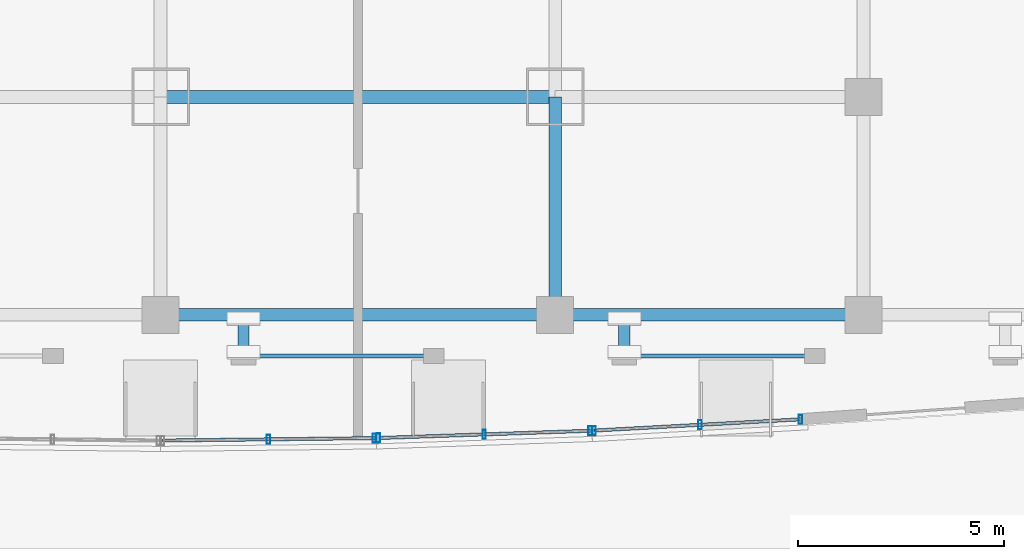
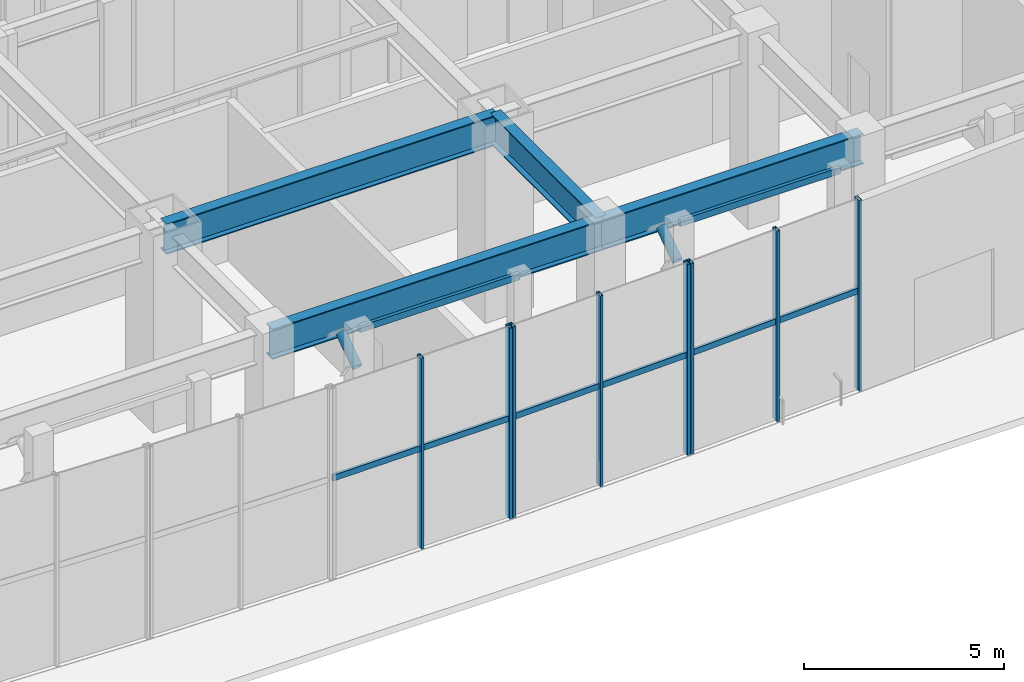
# One storey, part 7 of 23: 15 members, 4 beams, 3 elements without a shape of their own.
"""IFC4 building model written with IfcOpenShell, lengths in metres."""

from ifc_helpers import new_model, si_unit, direction, frame, origin, origin_2d, place, context, subcontext, project, spatial, hollow_rectangle, hollow_circle, i_section, extrude, material, layer, layer_set, material_profile, profile_set, type_object, element, aggregate, save


model = new_model("IFC4")

# Units and contexts
model_context = context("Model", 3, precision=1e-05, world=origin(), true_north=direction((0.0, 1.0)))
body_context = subcontext(model_context, "Body", "Model", "MODEL_VIEW")
ifc_project = project(units=[si_unit("LENGTHUNIT", "METRE"), si_unit("AREAUNIT", "SQUARE_METRE"), si_unit("VOLUMEUNIT", "CUBIC_METRE"), si_unit("PLANEANGLEUNIT", "RADIAN"), si_unit("MASSUNIT", "GRAM", prefix="KILO")], contexts=[model_context])

# Site, building, storey
site_placement = place(None, origin())
site = spatial("IfcSite", under=ifc_project, at=site_placement, CompositionType="ELEMENT")
building_placement = place(site_placement, origin())
building = spatial("IfcBuilding", under=site, at=building_placement, Name="Vantalir Tower", CompositionType="ELEMENT")
storey_placement = place(building_placement, origin())
storey = spatial("IfcBuildingStorey", under=building, at=storey_placement, Name="L00", CompositionType="ELEMENT", Elevation=0.0)

# Beams
ifc_material_1 = material(Name="Steel S355", Category="steel")
ifc_material_profile_1 = material_profile(ifc_material_1, i_section(OverallWidth=0.30810546875, OverallDepth=0.927001953125, WebThickness=0.01953125, FlangeThickness=0.031982421875, at=origin_2d()), Name="Steel S355")
ifc_profile_set_1 = profile_set([ifc_material_profile_1], Name="Steel S355")
beam_type = type_object("IfcBeamType", Name="BM-PG-914x305", PredefinedType="USERDEFINED", material=ifc_profile_set_1)
beam_1_placement = place(storey_placement, frame((31.5, 3.199951171875, 5.35693359375), z_axis=(1.0, 0.0, 0.0), x_axis=(0.0, 1.0, 0.0)))
element("IfcBeam", 1, at=beam_1_placement, inside=storey, type_object=beam_type, Name="L00 Podium E-W Girder 04", ObjectType="GIRDER", PredefinedType="USERDEFINED", context=body_context, shape_type="SweptSolid", body=[
    extrude(i_section(OverallWidth=0.30810546875, OverallDepth=0.927001953125, WebThickness=0.01953125, FlangeThickness=0.031982421875, at=origin_2d()), origin(), (0.0, 0.0, 1.0), 9.60009765625),
])
beam_2_placement = place(storey_placement, frame((41.10009765625, 3.199951171875, 5.35693359375), z_axis=(1.0, 0.0, 0.0), x_axis=(0.0, 1.0, 0.0)))
element("IfcBeam", 2, at=beam_2_placement, inside=storey, type_object=beam_type, Name="L00 Podium E-W Girder 05", ObjectType="GIRDER", PredefinedType="USERDEFINED", context=body_context, shape_type="SweptSolid", body=[
    extrude(i_section(OverallWidth=0.30810546875, OverallDepth=0.927001953125, WebThickness=0.01953125, FlangeThickness=0.031982421875, at=origin_2d()), origin(), (0.0, 0.0, 1.0), 7.5),
])
beam_3_placement = place(storey_placement, frame((31.5, 8.5, 5.35693359375), z_axis=(1.0, 0.0, 0.0), x_axis=(0.0, 1.0, 0.0)))
element("IfcBeam", 3, at=beam_3_placement, inside=storey, type_object=beam_type, Name="L00 Podium E-W Girder 10", ObjectType="GIRDER", PredefinedType="USERDEFINED", context=body_context, shape_type="SweptSolid", body=[
    extrude(i_section(OverallWidth=0.30810546875, OverallDepth=0.927001953125, WebThickness=0.01953125, FlangeThickness=0.031982421875, at=origin_2d()), origin(), (0.0, 0.0, 1.0), 9.60009765625),
])
beam_4_placement = place(storey_placement, frame((41.10009765625, 3.199951171875, 5.35693359375), z_axis=(0.0, 1.0, 0.0), x_axis=(-1.0, 0.0, 0.0)))
element("IfcBeam", 4, at=beam_4_placement, inside=storey, type_object=beam_type, Name="L00 Podium N-S Girder 67", ObjectType="GIRDER", PredefinedType="USERDEFINED", context=body_context, shape_type="SweptSolid", body=[
    extrude(i_section(OverallWidth=0.30810546875, OverallDepth=0.927001953125, WebThickness=0.01953125, FlangeThickness=0.031982421875, at=origin_2d()), origin(), (0.0, 0.0, 1.0), 5.300048828125),
])

# Curtain wall, members
ifc_material_2 = material(Name="Champagne-silver PVDF aluminium and double-silver Low-E glass", Category="aluminium")
ifc_layer = layer(ifc_material_2, 0.239990234375)
ifc_layer_set = layer_set([ifc_layer], Name="Champagne-silver PVDF aluminium and double-silver Low-E glass")
curtain_wall_type = type_object("IfcCurtainWallType", Name="CW-PODIUM-WF", PredefinedType="USERDEFINED", material=ifc_layer_set)
curtain_wall_1_placement = place(storey_placement, origin())
curtain_wall_1 = element("IfcCurtainWall", 5, at=curtain_wall_1_placement, inside=storey, type_object=curtain_wall_type, Name="L00 Waterfront Stick Curtain Wall 07", ObjectType="STICK CURTAIN WALL", PredefinedType="USERDEFINED")
ifc_material_3 = material(Name="Champagne-silver PVDF aluminium 6063-T6", Category="aluminium")
ifc_material_profile_2 = material_profile(ifc_material_3, hollow_rectangle(XDim=0.0849609375, YDim=0.219970703125, WallThickness=0.0048828125, at=origin_2d()), Name="Champagne-silver PVDF aluminium 6063-T6")
ifc_profile_set_2 = profile_set([ifc_material_profile_2], Name="Champagne-silver PVDF aluminium 6063-T6")
member_type_1 = type_object("IfcMemberType", Name="CWM-220x85", PredefinedType="MULLION", material=ifc_profile_set_2)
member_1_placement = place(storey_placement, frame((34.125, 0.169921875, -0.011962890625), z_axis=(0.0, 0.0, 1.0), x_axis=(1.0, 0.0, 0.0)))
member_1 = element("IfcMember", 6, at=member_1_placement, type_object=member_type_1, Name="CW-L00-WF-07 Mullion 2", PredefinedType="MULLION", context=body_context, shape_type="SweptSolid", body=[
    extrude(hollow_rectangle(XDim=0.0849609375, YDim=0.219970703125, WallThickness=0.0048828125, at=origin_2d()), origin(), (0.0, 0.0, 1.0), 5.843994140625),
])
member_2_placement = place(storey_placement, frame((36.699951171875, 0.199951171875, -0.011962890625), z_axis=(0.0, 0.0, 1.0), x_axis=(1.0, 0.0, 0.0)))
member_2 = element("IfcMember", 7, at=member_2_placement, type_object=member_type_1, Name="CW-L00-WF-07 Mullion 3", PredefinedType="MULLION", context=body_context, shape_type="SweptSolid", body=[
    extrude(hollow_rectangle(XDim=0.0849609375, YDim=0.219970703125, WallThickness=0.0048828125, at=origin_2d()), origin(), (0.0, 0.0, 1.0), 5.843994140625),
])

curtain_wall_2_placement = place(storey_placement, origin())
curtain_wall_2 = element("IfcCurtainWall", 8, at=curtain_wall_2_placement, inside=storey, type_object=curtain_wall_type, Name="L00 Waterfront Stick Curtain Wall 08", ObjectType="STICK CURTAIN WALL", PredefinedType="USERDEFINED")
member_3_placement = place(storey_placement, frame((36.800048828125, 0.202880859375, -0.011962890625), z_axis=(0.0, 0.0, 1.0), x_axis=(1.0, 0.0, 0.0)))
member_3 = element("IfcMember", 9, at=member_3_placement, type_object=member_type_1, Name="CW-L00-WF-08 Mullion 1", PredefinedType="MULLION", context=body_context, shape_type="SweptSolid", body=[
    extrude(hollow_rectangle(XDim=0.0849609375, YDim=0.219970703125, WallThickness=0.0048828125, at=origin_2d()), origin(), (0.0, 0.0, 1.0), 5.843994140625),
])
member_4_placement = place(storey_placement, frame((39.375, 0.291015625, -0.011962890625), z_axis=(0.0, 0.0, 1.0), x_axis=(1.0, 0.0, 0.0)))
member_4 = element("IfcMember", 10, at=member_4_placement, type_object=member_type_1, Name="CW-L00-WF-08 Mullion 2", PredefinedType="MULLION", context=body_context, shape_type="SweptSolid", body=[
    extrude(hollow_rectangle(XDim=0.0849609375, YDim=0.219970703125, WallThickness=0.0048828125, at=origin_2d()), origin(), (0.0, 0.0, 1.0), 5.843994140625),
])
member_5_placement = place(storey_placement, frame((41.949951171875, 0.37890625, -0.011962890625), z_axis=(0.0, 0.0, 1.0), x_axis=(1.0, 0.0, 0.0)))
member_5 = element("IfcMember", 11, at=member_5_placement, type_object=member_type_1, Name="CW-L00-WF-08 Mullion 3", PredefinedType="MULLION", context=body_context, shape_type="SweptSolid", body=[
    extrude(hollow_rectangle(XDim=0.0849609375, YDim=0.219970703125, WallThickness=0.0048828125, at=origin_2d()), origin(), (0.0, 0.0, 1.0), 5.843994140625),
])

curtain_wall_3_placement = place(storey_placement, origin())
curtain_wall_3 = element("IfcCurtainWall", 12, at=curtain_wall_3_placement, inside=storey, type_object=curtain_wall_type, Name="L00 Waterfront Stick Curtain Wall 09", ObjectType="STICK CURTAIN WALL", PredefinedType="USERDEFINED")
member_6_placement = place(storey_placement, frame((42.050048828125, 0.384033203125, -0.011962890625), z_axis=(0.0, 0.0, 1.0), x_axis=(1.0, 0.0, 0.0)))
member_6 = element("IfcMember", 13, at=member_6_placement, type_object=member_type_1, Name="CW-L00-WF-09 Mullion 1", PredefinedType="MULLION", context=body_context, shape_type="SweptSolid", body=[
    extrude(hollow_rectangle(XDim=0.0849609375, YDim=0.219970703125, WallThickness=0.0048828125, at=origin_2d()), origin(), (0.0, 0.0, 1.0), 5.843994140625),
])
member_7_placement = place(storey_placement, frame((44.625, 0.52392578125, -0.011962890625), z_axis=(0.0, 0.0, 1.0), x_axis=(1.0, 0.0, 0.0)))
member_7 = element("IfcMember", 14, at=member_7_placement, type_object=member_type_1, Name="CW-L00-WF-09 Mullion 2", PredefinedType="MULLION", context=body_context, shape_type="SweptSolid", body=[
    extrude(hollow_rectangle(XDim=0.0849609375, YDim=0.219970703125, WallThickness=0.0048828125, at=origin_2d()), origin(), (0.0, 0.0, 1.0), 5.843994140625),
])
member_8_placement = place(storey_placement, frame((47.070068359375, 0.656982421875, -0.011962890625), z_axis=(0.0, 0.0, 1.0), x_axis=(1.0, 0.0, 0.0)))
member_8 = element("IfcMember", 15, at=member_8_placement, type_object=member_type_1, Name="CW-L00-WF-09 Mullion 3", PredefinedType="MULLION", context=body_context, shape_type="SweptSolid", body=[
    extrude(hollow_rectangle(XDim=0.0849609375, YDim=0.219970703125, WallThickness=0.0048828125, at=origin_2d()), origin(), (0.0, 0.0, 1.0), 5.843994140625),
])

# Member
ifc_material_profile_3 = material_profile(ifc_material_3, hollow_rectangle(XDim=0.080078125, YDim=0.179931640625, WallThickness=0.0048828125, at=origin_2d()), Name="Champagne-silver PVDF aluminium 6063-T6")
ifc_profile_set_3 = profile_set([ifc_material_profile_3], Name="Champagne-silver PVDF aluminium 6063-T6")
member_type_2 = type_object("IfcMemberType", Name="CWT-180x80", PredefinedType="USERDEFINED", material=ifc_profile_set_3)
member_9_placement = place(storey_placement, frame((31.550048828125, 0.14111328125, 3.02587890625), z_axis=(0.999934740508, 0.011424304184, 0.0), x_axis=(-0.011424304184, 0.999934740508, 0.0)))
member_9 = element("IfcMember", 16, at=member_9_placement, type_object=member_type_2, Name="CW-L00-WF-07 Transom 1", ObjectType="TRANSOM", PredefinedType="USERDEFINED", context=body_context, shape_type="SweptSolid", body=[
    extrude(hollow_rectangle(XDim=0.080078125, YDim=0.179931640625, WallThickness=0.0048828125, at=origin_2d()), origin(), (0.0, 0.0, 1.0), 5.150146484375),
])

aggregate(curtain_wall_1, [member_1, member_2, member_9])

member_10_placement = place(storey_placement, frame((36.800048828125, 0.202880859375, 3.02587890625), z_axis=(0.999416363673, 0.034160386755, 0.0), x_axis=(-0.034160386755, 0.999416363673, 0.0)))
member_10 = element("IfcMember", 17, at=member_10_placement, type_object=member_type_2, Name="CW-L00-WF-08 Transom 1", ObjectType="TRANSOM", PredefinedType="USERDEFINED", context=body_context, shape_type="SweptSolid", body=[
    extrude(hollow_rectangle(XDim=0.080078125, YDim=0.179931640625, WallThickness=0.0048828125, at=origin_2d()), origin(), (0.0, 0.0, 1.0), 5.15283203125),
])

aggregate(curtain_wall_2, [member_3, member_4, member_5, member_10])

member_11_placement = place(storey_placement, frame((42.050048828125, 0.384033203125, 3.02587890625), z_axis=(0.998525104448, 0.054291949556, 0.0), x_axis=(-0.054291949556, 0.998525104448, 0.0)))
member_11 = element("IfcMember", 18, at=member_11_placement, type_object=member_type_2, Name="CW-L00-WF-09 Transom 1", ObjectType="TRANSOM", PredefinedType="USERDEFINED", context=body_context, shape_type="SweptSolid", body=[
    extrude(hollow_rectangle(XDim=0.080078125, YDim=0.179931640625, WallThickness=0.0048828125, at=origin_2d()), origin(), (0.0, 0.0, 1.0), 5.02734375),
])

aggregate(curtain_wall_3, [member_6, member_7, member_8, member_11])

# Members
ifc_material_profile_4 = material_profile(ifc_material_1, hollow_rectangle(XDim=0.10009765625, YDim=0.199951171875, WallThickness=0.008056640625, at=origin_2d()), Name="Steel S355")
ifc_profile_set_4 = profile_set([ifc_material_profile_4], Name="Steel S355")
member_type_3 = type_object("IfcMemberType", Name="MEM-PR-200x100", PredefinedType="PURLIN", material=ifc_profile_set_4)
member_12_placement = place(storey_placement, frame((33.51708984375, 2.199951171875, 5.64990234375), z_axis=(1.0, 0.0, 0.0), x_axis=(0.0, 1.0, 0.0)))
element("IfcMember", 19, at=member_12_placement, inside=storey, type_object=member_type_3, Name="L00 Waterfront Canopy Colonnade Tie 04", PredefinedType="PURLIN", context=body_context, shape_type="SweptSolid", body=[
    extrude(hollow_rectangle(XDim=0.10009765625, YDim=0.199951171875, WallThickness=0.008056640625, at=origin_2d()), origin(), (0.0, 0.0, 1.0), 4.6328125),
])
member_13_placement = place(storey_placement, frame((42.782958984375, 2.199951171875, 5.64990234375), z_axis=(1.0, 0.0, 0.0), x_axis=(0.0, 1.0, 0.0)))
element("IfcMember", 20, at=member_13_placement, inside=storey, type_object=member_type_3, Name="L00 Waterfront Canopy Colonnade Tie 05", PredefinedType="PURLIN", context=body_context, shape_type="SweptSolid", body=[
    extrude(hollow_rectangle(XDim=0.10009765625, YDim=0.199951171875, WallThickness=0.008056640625, at=origin_2d()), origin(), (0.0, 0.0, 1.0), 4.634033203125),
])
ifc_material_profile_5 = material_profile(ifc_material_1, hollow_circle(Radius=0.136474609375, WallThickness=0.01611328125, at=origin_2d()), Name="Steel S355")
ifc_profile_set_5 = profile_set([ifc_material_profile_5], Name="Steel S355")
member_type_4 = type_object("IfcMemberType", Name="MEM-ST-273x16", PredefinedType="STRUT", material=ifc_profile_set_5)
for number, where, z_axis, x_axis, name in (
    (21, (33.51708984375, 2.298095703125, 4.4189453125), (0.0, 0.81959423401, 0.572944405311), (-1.0, 0.0, 0.0), "L00 Waterfront Canopy Strut 04"),
    (22, (42.782958984375, 2.298095703125, 4.4189453125), (0.0, 0.81959423401, 0.572944405311), (-1.0, 0.0, 0.0), "L00 Waterfront Canopy Strut 05"),
):
    element("IfcMember", number, at=place(storey_placement, frame(where, z_axis=z_axis, x_axis=x_axis)), inside=storey, type_object=member_type_4, Name=name, PredefinedType="STRUT", context=body_context, shape_type="SweptSolid", body=[
        extrude(hollow_circle(Radius=0.136474609375, WallThickness=0.01611328125, at=origin_2d()), origin(), (0.0, 0.0, 1.0), 0.98095703125),
    ])

save(model, "model.ifc")
